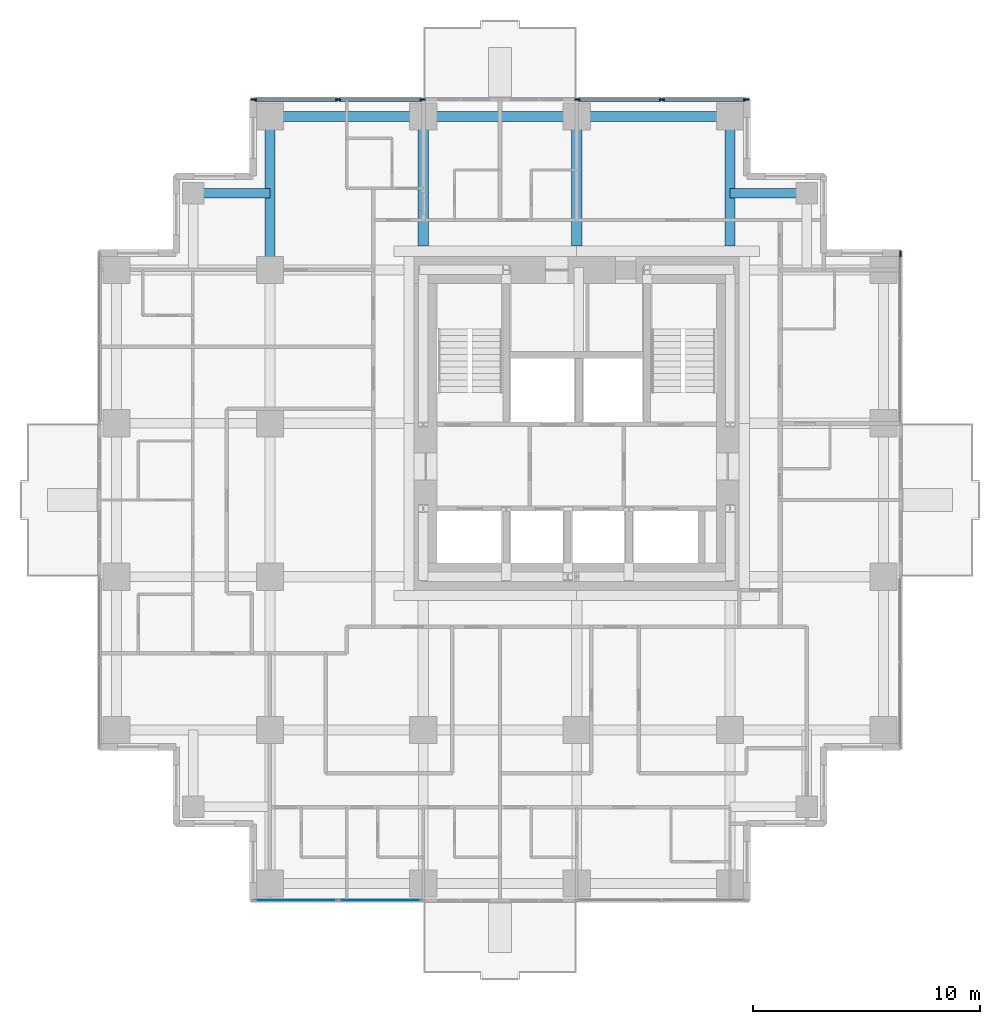
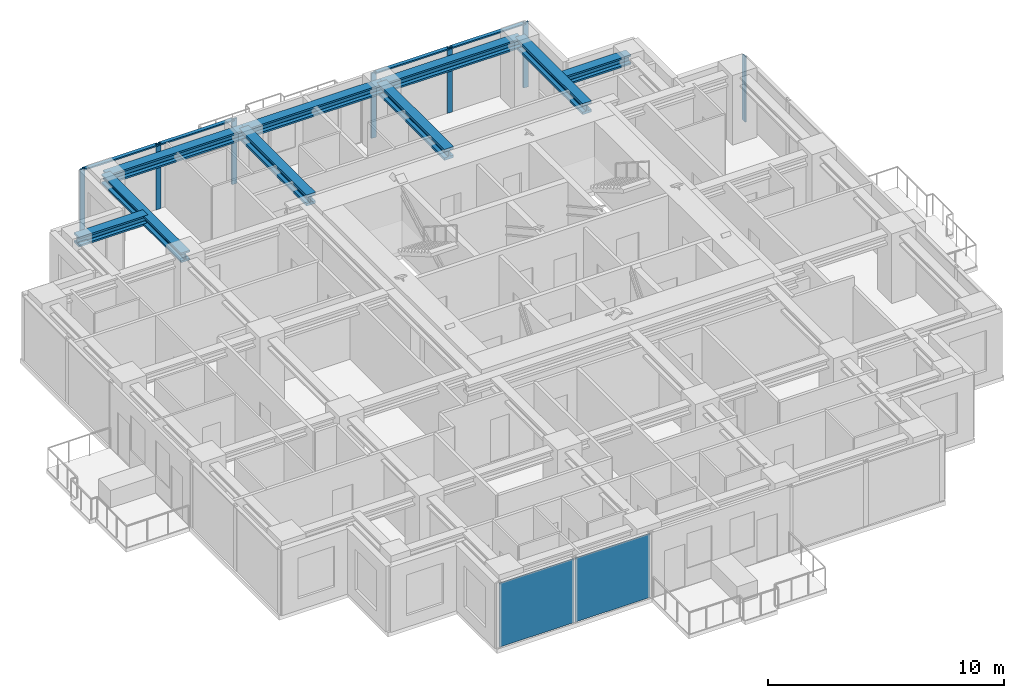
# One storey, part 3 of 10: 11 members, 9 beams, 2 plates, 4 elements without a shape of their own.
"""IFC4 building model written with IfcOpenShell, lengths in metres."""

from ifc_helpers import new_model, si_unit, direction, frame, origin, origin_2d, place, context, subcontext, project, spatial, rectangle, i_section, extrude, material, layer, layer_set, material_profile, profile_set, type_object, element, aggregate, save


model = new_model("IFC4")

# Units and contexts
model_context = context("Model", 3, precision=1e-05, world=origin(), true_north=direction((0.0, 1.0)))
body_context = subcontext(model_context, "Body", "Model", "MODEL_VIEW")
ifc_project = project(units=[si_unit("LENGTHUNIT", "METRE"), si_unit("AREAUNIT", "SQUARE_METRE"), si_unit("VOLUMEUNIT", "CUBIC_METRE"), si_unit("PLANEANGLEUNIT", "RADIAN"), si_unit("MASSUNIT", "GRAM", prefix="KILO")], contexts=[model_context])

# Site, building, storey
site_placement = place(None, origin())
site = spatial("IfcSite", under=ifc_project, at=site_placement, CompositionType="ELEMENT")
building_placement = place(site_placement, origin())
building = spatial("IfcBuilding", under=site, at=building_placement, Name="Nyansa Garden Tower", CompositionType="ELEMENT")
storey_placement = place(building_placement, frame((0.0, 0.0, 178.199951171875)))
storey = spatial("IfcBuildingStorey", under=building, at=storey_placement, Name="L48", CompositionType="ELEMENT", Elevation=178.199951171875)

# Curtain wall, member
ifc_material_1 = material(Name="Black anodised aluminium, dark tinted double glazing", Category="aluminium")
curtain_wall_type = type_object("IfcCurtainWallType", Name="Inner skin curtain wall ISW-C", PredefinedType="USERDEFINED", material=ifc_material_1)
curtain_wall_1_placement = place(storey_placement, origin())
curtain_wall_1 = element("IfcCurtainWall", 1, at=curtain_wall_1_placement, inside=storey, type_object=curtain_wall_type, Name="Inner skin curtain wall L48 E", ObjectType="UNITISED CURTAIN WALL", PredefinedType="USERDEFINED")
ifc_material_2 = material(Name="Black anodised aluminium", Category="aluminium")
ifc_material_profile_1 = material_profile(ifc_material_2, rectangle(XDim=0.070068359375, YDim=0.25, at=origin_2d()), Name="Mullion 250x70")
ifc_profile_set_1 = profile_set([ifc_material_profile_1], Name="Black anodised aluminium")
member_type_1 = type_object("IfcMemberType", Name="Mullion ISW-C 250x70", PredefinedType="MULLION", material=ifc_profile_set_1)
member_1_placement = place(storey_placement, frame((34.5, 27.715087890625, 0.0), z_axis=(0.0, 0.0, 1.0), x_axis=(-1.0, 0.0, 0.0)))
member_1 = element("IfcMember", 2, at=member_1_placement, type_object=member_type_1, Name="ISW-C mullion 3", PredefinedType="MULLION", context=body_context, shape_type="SweptSolid", body=[
    extrude(rectangle(XDim=0.070068359375, YDim=0.25, at=origin_2d()), origin(), (0.0, 0.0, 1.0), 3.375),
])
aggregate(curtain_wall_1, [member_1])

# Curtain wall, members
curtain_wall_2_placement = place(storey_placement, origin())
curtain_wall_2 = element("IfcCurtainWall", 3, at=curtain_wall_2_placement, inside=storey, type_object=curtain_wall_type, Name="Inner skin curtain wall L48 N", ObjectType="UNITISED CURTAIN WALL", PredefinedType="USERDEFINED")
member_2_placement = place(storey_placement, frame((13.465087890625, 34.5, 0.0), z_axis=(0.0, 0.0, 1.0), x_axis=(0.0, -1.0, 0.0)))
member_2 = element("IfcMember", 4, at=member_2_placement, type_object=member_type_1, Name="ISW-C mullion 1", PredefinedType="MULLION", context=body_context, shape_type="SweptSolid", body=[
    extrude(rectangle(XDim=0.070068359375, YDim=0.25, at=origin_2d()), origin(), (0.0, 0.0, 1.0), 3.375),
])
member_3_placement = place(storey_placement, frame((9.75, 34.5, 0.0), z_axis=(0.0, 0.0, 1.0), x_axis=(0.0, -1.0, 0.0)))
member_3 = element("IfcMember", 5, at=member_3_placement, type_object=member_type_1, Name="ISW-C mullion 2", PredefinedType="MULLION", context=body_context, shape_type="SweptSolid", body=[
    extrude(rectangle(XDim=0.070068359375, YDim=0.25, at=origin_2d()), origin(), (0.0, 0.0, 1.0), 3.375),
])
member_4_placement = place(storey_placement, frame((6.034912109375, 34.5, 0.0), z_axis=(0.0, 0.0, 1.0), x_axis=(0.0, -1.0, 0.0)))
member_4 = element("IfcMember", 6, at=member_4_placement, type_object=member_type_1, Name="ISW-C mullion 3", PredefinedType="MULLION", context=body_context, shape_type="SweptSolid", body=[
    extrude(rectangle(XDim=0.070068359375, YDim=0.25, at=origin_2d()), origin(), (0.0, 0.0, 1.0), 3.375),
])

curtain_wall_3_placement = place(storey_placement, origin())
curtain_wall_3 = element("IfcCurtainWall", 7, at=curtain_wall_3_placement, inside=storey, type_object=curtain_wall_type, Name="Inner skin curtain wall L48 N", ObjectType="UNITISED CURTAIN WALL", PredefinedType="USERDEFINED")
member_5_placement = place(storey_placement, frame((27.715087890625, 34.5, 0.0), z_axis=(0.0, 0.0, 1.0), x_axis=(0.0, -1.0, 0.0)))
member_5 = element("IfcMember", 8, at=member_5_placement, type_object=member_type_1, Name="ISW-C mullion 1", PredefinedType="MULLION", context=body_context, shape_type="SweptSolid", body=[
    extrude(rectangle(XDim=0.070068359375, YDim=0.25, at=origin_2d()), origin(), (0.0, 0.0, 1.0), 3.375),
])
member_6_placement = place(storey_placement, frame((24.0, 34.5, 0.0), z_axis=(0.0, 0.0, 1.0), x_axis=(0.0, -1.0, 0.0)))
member_6 = element("IfcMember", 9, at=member_6_placement, type_object=member_type_1, Name="ISW-C mullion 2", PredefinedType="MULLION", context=body_context, shape_type="SweptSolid", body=[
    extrude(rectangle(XDim=0.070068359375, YDim=0.25, at=origin_2d()), origin(), (0.0, 0.0, 1.0), 3.375),
])
member_7_placement = place(storey_placement, frame((20.284912109375, 34.5, 0.0), z_axis=(0.0, 0.0, 1.0), x_axis=(0.0, -1.0, 0.0)))
member_7 = element("IfcMember", 10, at=member_7_placement, type_object=member_type_1, Name="ISW-C mullion 3", PredefinedType="MULLION", context=body_context, shape_type="SweptSolid", body=[
    extrude(rectangle(XDim=0.070068359375, YDim=0.25, at=origin_2d()), origin(), (0.0, 0.0, 1.0), 3.375),
])

# Beams
ifc_material_3 = material(Name="Steel S355", Category="steel")
ifc_material_profile_2 = material_profile(ifc_material_3, i_section(OverallWidth=0.431884765625, OverallDepth=0.498046875, WebThickness=0.0556640625, FlangeThickness=0.0888671875, FilletRadius=0.014892578125, at=origin_2d()), Name="HD 400x744")
ifc_profile_set_2 = profile_set([ifc_material_profile_2], Name="Steel S355")
beam_type_1 = type_object("IfcBeamType", Name="Steel beam SBC1-744 HD 400x744", PredefinedType="BEAM", material=ifc_profile_set_2)
beam_placement = place(storey_placement, frame((6.75, 27.0, 3.1259765625), z_axis=(0.0, 1.0, 0.0), x_axis=(-1.0, 0.0, 0.0)))
element("IfcBeam", 11, at=beam_placement, inside=storey, type_object=beam_type_1, Name="Steel beam 3/H-3/J L49", PredefinedType="BEAM", context=body_context, shape_type="SweptSolid", body=[
    extrude(i_section(OverallWidth=0.431884765625, OverallDepth=0.498046875, WebThickness=0.0556640625, FlangeThickness=0.0888671875, FilletRadius=0.014892578125, at=origin_2d()), origin(), (0.0, 0.0, 1.0), 6.75),
])
ifc_material_4 = material(Name="Steel S355", Category="steel")
ifc_material_profile_3 = material_profile(ifc_material_4, i_section(OverallWidth=0.4541015625, OverallDepth=0.569091796875, WebThickness=0.077880859375, FlangeThickness=0.125, FilletRadius=0.014892578125, at=origin_2d()), Name="HD 400x1086")
ifc_profile_set_3 = profile_set([ifc_material_profile_3], Name="Steel S355")
beam_type_2 = type_object("IfcBeamType", Name="Steel beam SCL-1086 HD 400x1086", PredefinedType="BEAM", material=ifc_profile_set_3)
for number, where, z_axis, x_axis, name in (
    (12, (13.5, 28.050048828125, 3.090576171875), (0.0, 1.0, 0.0), (-1.0, 0.0, 0.0), "Steel beam 4/28.050-4/J L49"),
    (13, (20.25, 28.050048828125, 3.090576171875), (0.0, 1.0, 0.0), (-1.0, 0.0, 0.0), "Steel beam 5/28.050-5/J L49"),
    (14, (27.0, 28.050048828125, 3.090576171875), (0.0, 1.0, 0.0), (-1.0, 0.0, 0.0), "Steel beam 6/28.050-6/J L49"),
):
    element("IfcBeam", number, at=place(storey_placement, frame(where, z_axis=z_axis, x_axis=x_axis)), inside=storey, type_object=beam_type_2, Name=name, PredefinedType="BEAM", context=body_context, shape_type="SweptSolid", body=[
        extrude(i_section(OverallWidth=0.4541015625, OverallDepth=0.569091796875, WebThickness=0.077880859375, FlangeThickness=0.125, FilletRadius=0.014892578125, at=origin_2d()), origin(), (0.0, 0.0, 1.0), 5.699951171875),
    ])
ifc_material_5 = material(Name="Steel S355", Category="steel")
ifc_material_profile_4 = material_profile(ifc_material_5, i_section(OverallWidth=0.431884765625, OverallDepth=0.498046875, WebThickness=0.0556640625, FlangeThickness=0.0888671875, FilletRadius=0.014892578125, at=origin_2d()), Name="HD 400x744")
ifc_profile_set_4 = profile_set([ifc_material_profile_4], Name="Steel S355")
beam_type_3 = type_object("IfcBeamType", Name="Steel beam SEBC-744 HD 400x744", PredefinedType="BEAM", material=ifc_profile_set_4)
for number, where, z_axis, x_axis, name in (
    (15, (6.75, 33.75, 3.1259765625), (1.0, 0.0, 0.0), (0.0, 1.0, 0.0), "Steel edge beam 3/J-4/J L49"),
    (16, (13.5, 33.75, 3.1259765625), (1.0, 0.0, 0.0), (0.0, 1.0, 0.0), "Steel edge beam 4/J-5/J L49"),
    (17, (20.25, 33.75, 3.1259765625), (1.0, 0.0, 0.0), (0.0, 1.0, 0.0), "Steel edge beam 5/J-6/J L49"),
):
    element("IfcBeam", number, at=place(storey_placement, frame(where, z_axis=z_axis, x_axis=x_axis)), inside=storey, type_object=beam_type_3, Name=name, PredefinedType="BEAM", context=body_context, shape_type="SweptSolid", body=[
        extrude(i_section(OverallWidth=0.431884765625, OverallDepth=0.498046875, WebThickness=0.0556640625, FlangeThickness=0.0888671875, FilletRadius=0.014892578125, at=origin_2d()), origin(), (0.0, 0.0, 1.0), 6.75),
    ])
ifc_material_6 = material(Name="Steel S355", Category="steel")
ifc_material_profile_5 = material_profile(ifc_material_6, i_section(OverallWidth=0.431884765625, OverallDepth=0.498046875, WebThickness=0.0556640625, FlangeThickness=0.0888671875, FilletRadius=0.014892578125, at=origin_2d()), Name="HD 400x744")
ifc_profile_set_5 = profile_set([ifc_material_profile_5], Name="Steel S355")
beam_type_4 = type_object("IfcBeamType", Name="Steel beam SSB1-744 HD 400x744", PredefinedType="BEAM", material=ifc_profile_set_5)
for number, where, z_axis, x_axis, name in (
    (18, (30.375, 30.375, 3.1259765625), (-1.0, 0.0, 0.0), (0.0, -1.0, 0.0), "Steel step beam 30.375/30.375 L49"),
    (19, (3.375, 30.375, 3.1259765625), (1.0, 0.0, 0.0), (0.0, 1.0, 0.0), "Steel step beam 3.375/30.375 L49"),
):
    element("IfcBeam", number, at=place(storey_placement, frame(where, z_axis=z_axis, x_axis=x_axis)), inside=storey, type_object=beam_type_4, Name=name, PredefinedType="BEAM", context=body_context, shape_type="SweptSolid", body=[
        extrude(i_section(OverallWidth=0.431884765625, OverallDepth=0.498046875, WebThickness=0.0556640625, FlangeThickness=0.0888671875, FilletRadius=0.014892578125, at=origin_2d()), origin(), (0.0, 0.0, 1.0), 3.375),
    ])

# Member
ifc_material_7 = material(Name="Black anodised aluminium", Category="aluminium")
ifc_material_profile_6 = material_profile(ifc_material_7, rectangle(XDim=0.179931640625, YDim=0.070068359375, at=origin_2d()), Name="Transom 180x70")
ifc_profile_set_6 = profile_set([ifc_material_profile_6], Name="Black anodised aluminium")
member_type_2 = type_object("IfcMemberType", Name="Transom ISW-C 180x70", PredefinedType="USERDEFINED", material=ifc_profile_set_6)
member_8_placement = place(storey_placement, frame((13.429931640625, 34.5, 3.340087890625), z_axis=(-1.0, 0.0, 0.0), x_axis=(0.0, -1.0, 0.0)))
member_8 = element("IfcMember", 20, at=member_8_placement, type_object=member_type_2, Name="ISW-C transom 1", ObjectType="TRANSOM", PredefinedType="USERDEFINED", context=body_context, shape_type="SweptSolid", body=[
    extrude(rectangle(XDim=0.179931640625, YDim=0.070068359375, at=origin_2d()), origin(), (0.0, 0.0, 1.0), 3.64501953125),
])

member_9_placement = place(storey_placement, frame((9.715087890625, 34.5, 3.340087890625), z_axis=(-1.0, 0.0, 0.0), x_axis=(0.0, -1.0, 0.0)))
member_9 = element("IfcMember", 21, at=member_9_placement, type_object=member_type_2, Name="ISW-C transom 2", ObjectType="TRANSOM", PredefinedType="USERDEFINED", context=body_context, shape_type="SweptSolid", body=[
    extrude(rectangle(XDim=0.179931640625, YDim=0.070068359375, at=origin_2d()), origin(), (0.0, 0.0, 1.0), 3.64501953125),
])

aggregate(curtain_wall_2, [member_2, member_3, member_4, member_8, member_9])

member_10_placement = place(storey_placement, frame((27.679931640625, 34.5, 3.340087890625), z_axis=(-1.0, 0.0, 0.0), x_axis=(0.0, -1.0, 0.0)))
member_10 = element("IfcMember", 22, at=member_10_placement, type_object=member_type_2, Name="ISW-C transom 1", ObjectType="TRANSOM", PredefinedType="USERDEFINED", context=body_context, shape_type="SweptSolid", body=[
    extrude(rectangle(XDim=0.179931640625, YDim=0.070068359375, at=origin_2d()), origin(), (0.0, 0.0, 1.0), 3.64501953125),
])

member_11_placement = place(storey_placement, frame((23.965087890625, 34.5, 3.340087890625), z_axis=(-1.0, 0.0, 0.0), x_axis=(0.0, -1.0, 0.0)))
member_11 = element("IfcMember", 23, at=member_11_placement, type_object=member_type_2, Name="ISW-C transom 2", ObjectType="TRANSOM", PredefinedType="USERDEFINED", context=body_context, shape_type="SweptSolid", body=[
    extrude(rectangle(XDim=0.179931640625, YDim=0.070068359375, at=origin_2d()), origin(), (0.0, 0.0, 1.0), 3.64501953125),
])

aggregate(curtain_wall_3, [member_5, member_6, member_7, member_10, member_11])

# Curtain wall, plates
curtain_wall_4_placement = place(storey_placement, origin())
curtain_wall_4 = element("IfcCurtainWall", 24, at=curtain_wall_4_placement, inside=storey, type_object=curtain_wall_type, Name="Inner skin curtain wall L48 S", ObjectType="UNITISED CURTAIN WALL", PredefinedType="USERDEFINED")
ifc_material_8 = material(Name="Dark tinted laminated double glazing", Category="glass")
ifc_layer = layer(ifc_material_8, 0.0400390625)
ifc_layer_set = layer_set([ifc_layer], Name="Dark tinted vision panel VP-C")
plate_type = type_object("IfcPlateType", Name="Dark tinted vision panel VP-C", PredefinedType="CURTAIN_PANEL", material=ifc_layer_set)
plate_1_placement = place(storey_placement, frame((7.892578125, -0.75, 0.0), z_axis=(0.0, 0.0, 1.0), x_axis=(1.0, 0.0, 0.0)))
plate_1 = element("IfcPlate", 25, at=plate_1_placement, type_object=plate_type, Name="ISW-C panel 1", PredefinedType="CURTAIN_PANEL", context=body_context, shape_type="SweptSolid", body=[
    extrude(rectangle(XDim=3.64501953125, YDim=0.0400390625, at=origin_2d()), origin(), (0.0, 0.0, 1.0), 3.304931640625),
])
plate_2_placement = place(storey_placement, frame((11.607421875, -0.75, 0.0), z_axis=(0.0, 0.0, 1.0), x_axis=(1.0, 0.0, 0.0)))
plate_2 = element("IfcPlate", 26, at=plate_2_placement, type_object=plate_type, Name="ISW-C panel 2", PredefinedType="CURTAIN_PANEL", context=body_context, shape_type="SweptSolid", body=[
    extrude(rectangle(XDim=3.64501953125, YDim=0.0400390625, at=origin_2d()), origin(), (0.0, 0.0, 1.0), 3.304931640625),
])
aggregate(curtain_wall_4, [plate_1, plate_2])

save(model, "model.ifc")
